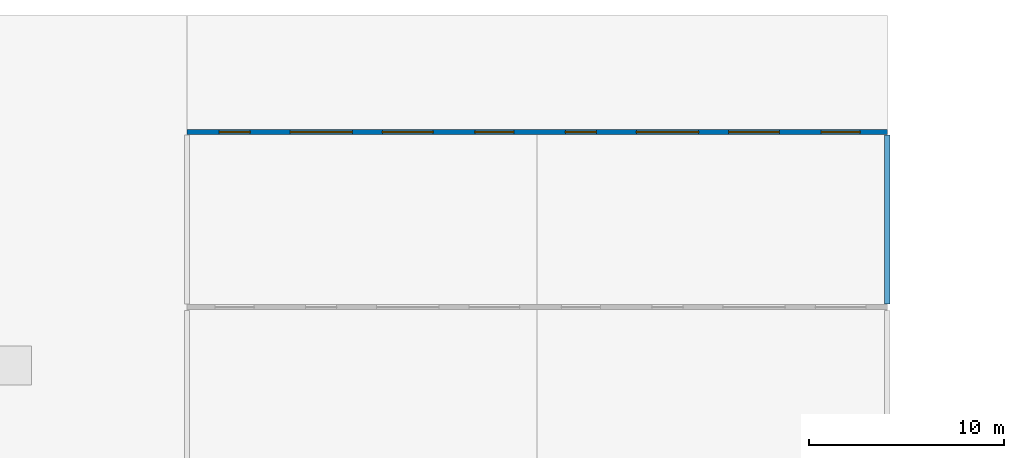
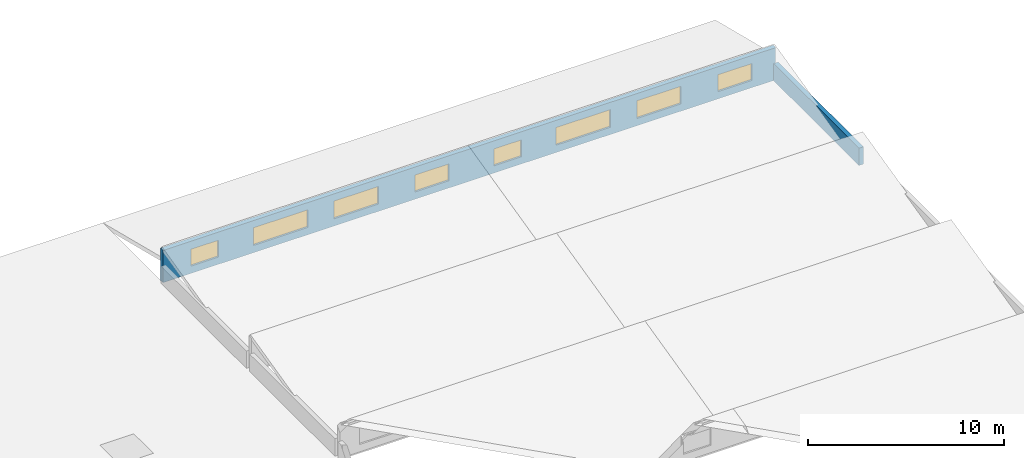
# One storey, part 29 of 37: 8 windows, 2 walls, 8 openings.
"""IFC4 building model written with IfcOpenShell, lengths in metres."""

from ifc_helpers import new_model, si_unit, direction, frame, frame_2d, origin, place, context, subcontext, project, spatial, rectangle, extrude, material, layer, layer_set, type_object, element, fill, save


model = new_model("IFC4")

# Units and contexts
model_context = context("Model", 3, precision=1e-05, world=origin(), true_north=direction((0.0, 1.0)))
body_context = subcontext(model_context, "Body", "Model", "MODEL_VIEW")
ifc_project = project(units=[si_unit("LENGTHUNIT", "METRE"), si_unit("AREAUNIT", "SQUARE_METRE"), si_unit("VOLUMEUNIT", "CUBIC_METRE"), si_unit("PLANEANGLEUNIT", "RADIAN"), si_unit("MASSUNIT", "GRAM", prefix="KILO")], contexts=[model_context])

# Site, building, storey
site_placement = place(None, origin())
site = spatial("IfcSite", under=ifc_project, at=site_placement, CompositionType="ELEMENT")
building_placement = place(site_placement, origin())
building = spatial("IfcBuilding", under=site, at=building_placement, Name="Palais des Congres Ocreval", CompositionType="ELEMENT")
storey_placement = place(building_placement, frame((0.0, 0.0, 11.52001953125)))
storey = spatial("IfcBuildingStorey", under=building, at=storey_placement, Name="L03", CompositionType="ELEMENT", Elevation=11.52001953125)

# Wall, openings, windows
ifc_material_1 = material(Name="Concrete C40/50", Category="concrete")
ifc_layer = layer(ifc_material_1, 0.260009765625)
ifc_layer_set = layer_set([ifc_layer], Name="Sawtooth Clerestory Wall 260 Concrete C40/50")
wall_type = type_object("IfcWallType", Name="Sawtooth Clerestory Wall 260 Concrete C40/50", PredefinedType="SOLIDWALL", material=ifc_layer_set)
wall_1_placement = place(storey_placement, frame((126.0, 108.0, 0.0), z_axis=(0.0, 0.0, 1.0), x_axis=(1.0, 0.0, 0.0)))
wall_1 = element("IfcWall", 1, at=wall_1_placement, inside=storey, type_object=wall_type, Name="Ballroom Sawtooth Clerestory Wall 4", PredefinedType="SOLIDWALL", context=body_context, shape_type="SweptSolid", body=[
    extrude(rectangle(XDim=36.0, YDim=0.260009765625, at=frame_2d((18.0, 0.0))), origin(), (0.0, 0.0, 1.0), 2.0),
])
opening_1_placement = place(wall_1_placement, frame((1.64990234375, 0.0, 0.449951171875)))
opening_1 = element("IfcOpeningElement", 2, at=opening_1_placement, cuts=wall_1, Name="Opening SK04", PredefinedType="OPENING", context=body_context, shape_type="SweptSolid", body=[
    extrude(rectangle(XDim=1.60009765625, YDim=1.050048828125, at=frame_2d((0.800048828125, 0.52490234375))), frame((0.0, 0.139892578125, 0.0), z_axis=(0.0, -1.0, 0.0), x_axis=(1.0, 0.0, 0.0)), (0.0, 0.0, 1.0), 0.280029296875),
])
opening_2_placement = place(wall_1_placement, frame((5.300048828125, 0.0, 0.449951171875)))
opening_2 = element("IfcOpeningElement", 3, at=opening_2_placement, cuts=wall_1, Name="Opening SK01", PredefinedType="OPENING", context=body_context, shape_type="SweptSolid", body=[
    extrude(rectangle(XDim=3.199951171875, YDim=1.10009765625, at=frame_2d((1.60009765625, 0.550048828125))), frame((0.0, 0.139892578125, 0.0), z_axis=(0.0, -1.0, 0.0), x_axis=(1.0, 0.0, 0.0)), (0.0, 0.0, 1.0), 0.280029296875),
])
opening_3_placement = place(wall_1_placement, frame((10.050048828125, 0.0, 0.449951171875)))
opening_3 = element("IfcOpeningElement", 4, at=opening_3_placement, cuts=wall_1, Name="Opening SK02", PredefinedType="OPENING", context=body_context, shape_type="SweptSolid", body=[
    extrude(rectangle(XDim=2.60009765625, YDim=1.10009765625, at=frame_2d((1.300048828125, 0.550048828125))), frame((0.0, 0.139892578125, 0.0), z_axis=(0.0, -1.0, 0.0), x_axis=(1.0, 0.0, 0.0)), (0.0, 0.0, 1.0), 0.280029296875),
])
opening_4_placement = place(wall_1_placement, frame((14.800048828125, 0.0, 0.449951171875)))
opening_4 = element("IfcOpeningElement", 5, at=opening_4_placement, cuts=wall_1, Name="Opening SK03", PredefinedType="OPENING", context=body_context, shape_type="SweptSolid", body=[
    extrude(rectangle(XDim=2.0, YDim=1.050048828125, at=frame_2d((1.0, 0.52490234375))), frame((0.0, 0.139892578125, 0.0), z_axis=(0.0, -1.0, 0.0), x_axis=(1.0, 0.0, 0.0)), (0.0, 0.0, 1.0), 0.280029296875),
])
opening_5_placement = place(wall_1_placement, frame((19.449951171875, 0.0, 0.449951171875)))
opening_5 = element("IfcOpeningElement", 6, at=opening_5_placement, cuts=wall_1, Name="Opening SK04", PredefinedType="OPENING", context=body_context, shape_type="SweptSolid", body=[
    extrude(rectangle(XDim=1.60009765625, YDim=1.050048828125, at=frame_2d((0.800048828125, 0.52490234375))), frame((0.0, 0.139892578125, 0.0), z_axis=(0.0, -1.0, 0.0), x_axis=(1.0, 0.0, 0.0)), (0.0, 0.0, 1.0), 0.280029296875),
])
opening_6_placement = place(wall_1_placement, frame((23.10009765625, 0.0, 0.449951171875)))
opening_6 = element("IfcOpeningElement", 7, at=opening_6_placement, cuts=wall_1, Name="Opening SK01", PredefinedType="OPENING", context=body_context, shape_type="SweptSolid", body=[
    extrude(rectangle(XDim=3.199951171875, YDim=1.10009765625, at=frame_2d((1.60009765625, 0.550048828125))), frame((0.0, 0.139892578125, 0.0), z_axis=(0.0, -1.0, 0.0), x_axis=(1.0, 0.0, 0.0)), (0.0, 0.0, 1.0), 0.280029296875),
])
opening_7_placement = place(wall_1_placement, frame((27.85009765625, 0.0, 0.449951171875)))
opening_7 = element("IfcOpeningElement", 8, at=opening_7_placement, cuts=wall_1, Name="Opening SK02", PredefinedType="OPENING", context=body_context, shape_type="SweptSolid", body=[
    extrude(rectangle(XDim=2.60009765625, YDim=1.10009765625, at=frame_2d((1.300048828125, 0.550048828125))), frame((0.0, 0.139892578125, 0.0), z_axis=(0.0, -1.0, 0.0), x_axis=(1.0, 0.0, 0.0)), (0.0, 0.0, 1.0), 0.280029296875),
])
opening_8_placement = place(wall_1_placement, frame((32.60009765625, 0.0, 0.449951171875)))
opening_8 = element("IfcOpeningElement", 9, at=opening_8_placement, cuts=wall_1, Name="Opening SK03", PredefinedType="OPENING", context=body_context, shape_type="SweptSolid", body=[
    extrude(rectangle(XDim=2.0, YDim=1.050048828125, at=frame_2d((1.0, 0.52490234375))), frame((0.0, 0.139892578125, 0.0), z_axis=(0.0, -1.0, 0.0), x_axis=(1.0, 0.0, 0.0)), (0.0, 0.0, 1.0), 0.280029296875),
])
ifc_material_2 = material(Name="Anodized bronze aluminium and low-E glass", Category="glass")
window_type_1 = type_object("IfcWindowType", Name="Ballroom Sawtooth Clerestory Skylight 2600x1100", PartitioningType="SINGLE_PANEL", PredefinedType="SKYLIGHT", material=ifc_material_2)
window_1_placement = place(opening_3_placement, origin())
window_1 = element("IfcWindow", 10, at=window_1_placement, inside=storey, type_object=window_type_1, Name="Sawtooth Northlight Skylight SK02", OverallHeight=1.10009765625, OverallWidth=2.60009765625, PartitioningType="SINGLE_PANEL", PredefinedType="SKYLIGHT", context=body_context, shape_type="SweptSolid", body=[
    extrude(rectangle(XDim=2.60009765625, YDim=1.10009765625, at=frame_2d((1.300048828125, 0.550048828125))), frame((0.0, 0.030029296875, 0.0), z_axis=(0.0, -1.0, 0.0), x_axis=(1.0, 0.0, 0.0)), (0.0, 0.0, 1.0), 0.06005859375),
])
fill(opening_3, window_1)
window_2_placement = place(opening_7_placement, origin())
window_2 = element("IfcWindow", 11, at=window_2_placement, inside=storey, type_object=window_type_1, Name="Sawtooth Northlight Skylight SK02", OverallHeight=1.10009765625, OverallWidth=2.60009765625, PartitioningType="SINGLE_PANEL", PredefinedType="SKYLIGHT", context=body_context, shape_type="SweptSolid", body=[
    extrude(rectangle(XDim=2.60009765625, YDim=1.10009765625, at=frame_2d((1.300048828125, 0.550048828125))), frame((0.0, 0.030029296875, 0.0), z_axis=(0.0, -1.0, 0.0), x_axis=(1.0, 0.0, 0.0)), (0.0, 0.0, 1.0), 0.06005859375),
])
fill(opening_7, window_2)
window_type_2 = type_object("IfcWindowType", Name="Ballroom Sawtooth Clerestory Skylight 3200x1100", PartitioningType="SINGLE_PANEL", PredefinedType="SKYLIGHT", material=ifc_material_2)
window_3_placement = place(opening_2_placement, origin())
window_3 = element("IfcWindow", 12, at=window_3_placement, inside=storey, type_object=window_type_2, Name="Sawtooth Northlight Skylight SK01", OverallHeight=1.10009765625, OverallWidth=3.199951171875, PartitioningType="SINGLE_PANEL", PredefinedType="SKYLIGHT", context=body_context, shape_type="SweptSolid", body=[
    extrude(rectangle(XDim=3.199951171875, YDim=1.10009765625, at=frame_2d((1.60009765625, 0.550048828125))), frame((0.0, 0.030029296875, 0.0), z_axis=(0.0, -1.0, 0.0), x_axis=(1.0, 0.0, 0.0)), (0.0, 0.0, 1.0), 0.06005859375),
])
fill(opening_2, window_3)
window_4_placement = place(opening_6_placement, origin())
window_4 = element("IfcWindow", 13, at=window_4_placement, inside=storey, type_object=window_type_2, Name="Sawtooth Northlight Skylight SK01", OverallHeight=1.10009765625, OverallWidth=3.199951171875, PartitioningType="SINGLE_PANEL", PredefinedType="SKYLIGHT", context=body_context, shape_type="SweptSolid", body=[
    extrude(rectangle(XDim=3.199951171875, YDim=1.10009765625, at=frame_2d((1.60009765625, 0.550048828125))), frame((0.0, 0.030029296875, 0.0), z_axis=(0.0, -1.0, 0.0), x_axis=(1.0, 0.0, 0.0)), (0.0, 0.0, 1.0), 0.06005859375),
])
fill(opening_6, window_4)
window_type_3 = type_object("IfcWindowType", Name="Sawtooth Acoustic Northlight 2000x1050", PartitioningType="SINGLE_PANEL", PredefinedType="SKYLIGHT", material=ifc_material_2)
window_5_placement = place(opening_4_placement, origin())
window_5 = element("IfcWindow", 14, at=window_5_placement, inside=storey, type_object=window_type_3, Name="Sawtooth Northlight Skylight SK03", OverallHeight=1.050048828125, OverallWidth=2.0, PartitioningType="SINGLE_PANEL", PredefinedType="SKYLIGHT", context=body_context, shape_type="SweptSolid", body=[
    extrude(rectangle(XDim=2.0, YDim=1.050048828125, at=frame_2d((1.0, 0.52490234375))), frame((0.0, 0.030029296875, 0.0), z_axis=(0.0, -1.0, 0.0), x_axis=(1.0, 0.0, 0.0)), (0.0, 0.0, 1.0), 0.06005859375),
])
fill(opening_4, window_5)
window_6_placement = place(opening_8_placement, origin())
window_6 = element("IfcWindow", 15, at=window_6_placement, inside=storey, type_object=window_type_3, Name="Sawtooth Northlight Skylight SK03", OverallHeight=1.050048828125, OverallWidth=2.0, PartitioningType="SINGLE_PANEL", PredefinedType="SKYLIGHT", context=body_context, shape_type="SweptSolid", body=[
    extrude(rectangle(XDim=2.0, YDim=1.050048828125, at=frame_2d((1.0, 0.52490234375))), frame((0.0, 0.030029296875, 0.0), z_axis=(0.0, -1.0, 0.0), x_axis=(1.0, 0.0, 0.0)), (0.0, 0.0, 1.0), 0.06005859375),
])
fill(opening_8, window_6)
window_type_4 = type_object("IfcWindowType", Name="Sawtooth End Northlight 1600x1050", PartitioningType="SINGLE_PANEL", PredefinedType="SKYLIGHT", material=ifc_material_2)
window_7_placement = place(opening_1_placement, origin())
window_7 = element("IfcWindow", 16, at=window_7_placement, inside=storey, type_object=window_type_4, Name="Sawtooth Northlight Skylight SK04", OverallHeight=1.050048828125, OverallWidth=1.60009765625, PartitioningType="SINGLE_PANEL", PredefinedType="SKYLIGHT", context=body_context, shape_type="SweptSolid", body=[
    extrude(rectangle(XDim=1.60009765625, YDim=1.050048828125, at=frame_2d((0.800048828125, 0.52490234375))), frame((0.0, 0.030029296875, 0.0), z_axis=(0.0, -1.0, 0.0), x_axis=(1.0, 0.0, 0.0)), (0.0, 0.0, 1.0), 0.06005859375),
])
fill(opening_1, window_7)
window_8_placement = place(opening_5_placement, origin())
window_8 = element("IfcWindow", 17, at=window_8_placement, inside=storey, type_object=window_type_4, Name="Sawtooth Northlight Skylight SK04", OverallHeight=1.050048828125, OverallWidth=1.60009765625, PartitioningType="SINGLE_PANEL", PredefinedType="SKYLIGHT", context=body_context, shape_type="SweptSolid", body=[
    extrude(rectangle(XDim=1.60009765625, YDim=1.050048828125, at=frame_2d((0.800048828125, 0.52490234375))), frame((0.0, 0.030029296875, 0.0), z_axis=(0.0, -1.0, 0.0), x_axis=(1.0, 0.0, 0.0)), (0.0, 0.0, 1.0), 0.06005859375),
])
fill(opening_5, window_8)

# Wall
wall_2_placement = place(storey_placement, frame((162.0, 99.159912109375, 0.0), z_axis=(0.0, 0.0, 1.0), x_axis=(0.0, 1.0, 0.0)))
element("IfcWall", 18, at=wall_2_placement, inside=storey, type_object=wall_type, Name="Ballroom Sawtooth End Cheek Wall 4-E", PredefinedType="SOLIDWALL", context=body_context, shape_type="SweptSolid", body=[
    extrude(rectangle(XDim=8.68017578125, YDim=0.260009765625, at=frame_2d((4.340087890625, 0.0))), origin(), (0.0, 0.0, 1.0), 1.080078125),
])

save(model, "model.ifc")
